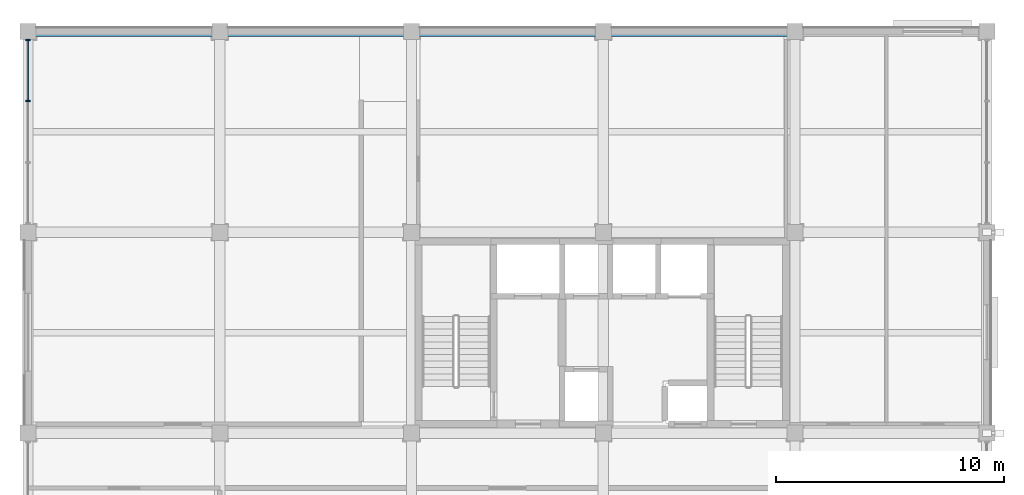
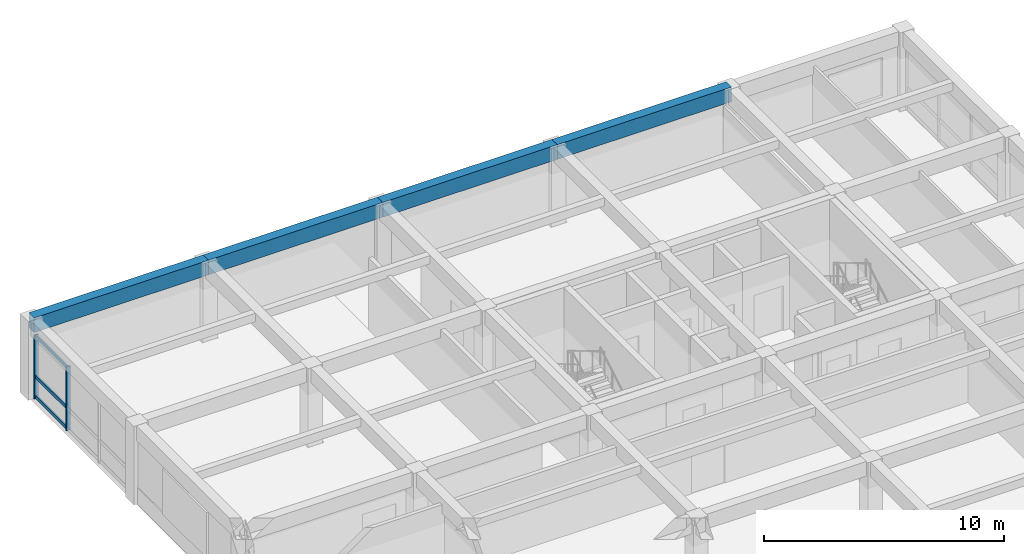
# One storey, part 5 of 14: 5 members, 4 beams, 1 element without a shape of its own.
"""IFC4 building model written with IfcOpenShell, lengths in metres."""

from ifc_helpers import new_model, si_unit, direction, frame, origin, origin_2d, place, context, subcontext, project, spatial, rectangle, extrude, material, material_profile, profile_set, type_object, element, aggregate, save


model = new_model("IFC4")

# Units and contexts
model_context = context("Model", 3, precision=1e-05, world=origin(), true_north=direction((0.0, 1.0)))
body_context = subcontext(model_context, "Body", "Model", "MODEL_VIEW")
ifc_project = project(units=[si_unit("LENGTHUNIT", "METRE"), si_unit("AREAUNIT", "SQUARE_METRE"), si_unit("VOLUMEUNIT", "CUBIC_METRE"), si_unit("PLANEANGLEUNIT", "RADIAN"), si_unit("MASSUNIT", "GRAM", prefix="KILO")], contexts=[model_context])

# Site, building, storey
site_placement = place(None, origin())
site = spatial("IfcSite", under=ifc_project, at=site_placement, CompositionType="ELEMENT")
building_placement = place(site_placement, origin())
building = spatial("IfcBuilding", under=site, at=building_placement, Name="Kemercrest Conservatory and Botanical Centre", CompositionType="ELEMENT")
storey_placement = place(building_placement, frame((0.0, 0.0, 32.800048828125)))
storey = spatial("IfcBuildingStorey", under=building, at=storey_placement, Name="L08", CompositionType="ELEMENT", Elevation=32.800048828125)

# Curtain wall, members
ifc_material_1 = material(Name="Thermally broken aluminium and triple low-e glazing", Category="aluminium")
curtain_wall_type = type_object("IfcCurtainWallType", Name="CW-09", PredefinedType="USERDEFINED", material=ifc_material_1)
curtain_wall_placement = place(storey_placement, origin())
curtain_wall = element("IfcCurtainWall", 1, at=curtain_wall_placement, inside=storey, type_object=curtain_wall_type, Name="Unitised curtain wall CW-09 (CW:L08:V4-098)", ObjectType="UNITISED CURTAIN WALL", PredefinedType="USERDEFINED")
ifc_material_2 = material(Name="Thermally broken anodized aluminium 6063-T6", Category="aluminium")
ifc_material_profile_1 = material_profile(ifc_material_2, rectangle(XDim=0.199951171875, YDim=0.06494140625, at=origin_2d()), Name="AL MULLION 65x200")
ifc_profile_set_1 = profile_set([ifc_material_profile_1], Name="Thermally broken anodized aluminium 6063-T6")
member_type_1 = type_object("IfcMemberType", Name="CW-M200", PredefinedType="MULLION", material=ifc_profile_set_1)
member_1_placement = place(storey_placement, frame((134.0, 122.0224609375, 0.0), z_axis=(0.0, 0.0, 1.0), x_axis=(1.0, 0.0, 0.0)))
member_1 = element("IfcMember", 2, at=member_1_placement, type_object=member_type_1, Name="CW-09 mullion 1", PredefinedType="MULLION", context=body_context, shape_type="SweptSolid", body=[
    extrude(rectangle(XDim=0.199951171875, YDim=0.06494140625, at=origin_2d()), origin(), (0.0, 0.0, 1.0), 3.2548828125),
])
member_2_placement = place(storey_placement, frame((134.0, 119.3515625, 0.0), z_axis=(0.0, 0.0, 1.0), x_axis=(1.0, 0.0, 0.0)))
member_2 = element("IfcMember", 3, at=member_2_placement, type_object=member_type_1, Name="CW-09 mullion 2", PredefinedType="MULLION", context=body_context, shape_type="SweptSolid", body=[
    extrude(rectangle(XDim=0.199951171875, YDim=0.06494140625, at=origin_2d()), origin(), (0.0, 0.0, 1.0), 3.2548828125),
])
ifc_material_profile_2 = material_profile(ifc_material_2, rectangle(XDim=0.074951171875, YDim=0.179931640625, at=origin_2d()), Name="AL TRANSOM 75x180")
ifc_profile_set_2 = profile_set([ifc_material_profile_2], Name="Thermally broken anodized aluminium 6063-T6")
member_type_2 = type_object("IfcMemberType", Name="CW-T180", PredefinedType="USERDEFINED", material=ifc_profile_set_2)
member_3_placement = place(storey_placement, frame((134.0, 121.989990234375, 0.08984375), z_axis=(0.0, -1.0, 0.0), x_axis=(1.0, 0.0, 0.0)))
member_3 = element("IfcMember", 4, at=member_3_placement, type_object=member_type_2, Name="CW-09 transom 1.1", ObjectType="TRANSOM", PredefinedType="USERDEFINED", context=body_context, shape_type="SweptSolid", body=[
    extrude(rectangle(XDim=0.074951171875, YDim=0.179931640625, at=origin_2d()), origin(), (0.0, 0.0, 1.0), 2.605712890625),
])
member_4_placement = place(storey_placement, frame((134.0, 121.989990234375, 1.119873046875), z_axis=(0.0, -1.0, 0.0), x_axis=(1.0, 0.0, 0.0)))
member_4 = element("IfcMember", 5, at=member_4_placement, type_object=member_type_2, Name="CW-09 transom 1.2", ObjectType="TRANSOM", PredefinedType="USERDEFINED", context=body_context, shape_type="SweptSolid", body=[
    extrude(rectangle(XDim=0.074951171875, YDim=0.179931640625, at=origin_2d()), origin(), (0.0, 0.0, 1.0), 2.605712890625),
])
member_5_placement = place(storey_placement, frame((134.0, 121.989990234375, 3.1650390625), z_axis=(0.0, -1.0, 0.0), x_axis=(1.0, 0.0, 0.0)))
member_5 = element("IfcMember", 6, at=member_5_placement, type_object=member_type_2, Name="CW-09 transom 1.3", ObjectType="TRANSOM", PredefinedType="USERDEFINED", context=body_context, shape_type="SweptSolid", body=[
    extrude(rectangle(XDim=0.074951171875, YDim=0.179931640625, at=origin_2d()), origin(), (0.0, 0.0, 1.0), 2.605712890625),
])
aggregate(curtain_wall, [member_1, member_2, member_3, member_4, member_5])

# Beams
ifc_material_3 = material(Name="Concrete C40/50", Category="concrete")
ifc_material_profile_3 = material_profile(ifc_material_3, rectangle(XDim=0.449951171875, YDim=0.75, at=origin_2d()), Name="RC 450x750")
ifc_profile_set_3 = profile_set([ifc_material_profile_3], Name="Concrete C40/50")
beam_type = type_object("IfcBeamType", Name="SP-RC75", PredefinedType="SPANDREL", material=ifc_profile_set_3)
beam_1_placement = place(storey_placement, frame((134.0, 122.39990234375, 3.625), z_axis=(1.0, 0.0, 0.0), x_axis=(0.0, 1.0, 0.0)))
element("IfcBeam", 7, at=beam_1_placement, inside=storey, type_object=beam_type, Name="V4-L09 beam SP-RC75 P/16-17", PredefinedType="SPANDREL", context=body_context, shape_type="SweptSolid", body=[
    extrude(rectangle(XDim=0.449951171875, YDim=0.75, at=origin_2d()), origin(), (0.0, 0.0, 1.0), 8.39990234375),
])
beam_2_placement = place(storey_placement, frame((142.39990234375, 122.39990234375, 3.625), z_axis=(1.0, 0.0, 0.0), x_axis=(0.0, 1.0, 0.0)))
element("IfcBeam", 8, at=beam_2_placement, inside=storey, type_object=beam_type, Name="V4-L09 beam SP-RC75 P/17-18", PredefinedType="SPANDREL", context=body_context, shape_type="SweptSolid", body=[
    extrude(rectangle(XDim=0.449951171875, YDim=0.75, at=origin_2d()), origin(), (0.0, 0.0, 1.0), 8.400146484375),
])
beam_3_placement = place(storey_placement, frame((150.800048828125, 122.39990234375, 3.625), z_axis=(1.0, 0.0, 0.0), x_axis=(0.0, 1.0, 0.0)))
element("IfcBeam", 9, at=beam_3_placement, inside=storey, type_object=beam_type, Name="V4-L09 beam SP-RC75 P/18-19", PredefinedType="SPANDREL", context=body_context, shape_type="SweptSolid", body=[
    extrude(rectangle(XDim=0.449951171875, YDim=0.75, at=origin_2d()), origin(), (0.0, 0.0, 1.0), 8.39990234375),
])
beam_4_placement = place(storey_placement, frame((159.199951171875, 122.39990234375, 3.625), z_axis=(1.0, 0.0, 0.0), x_axis=(0.0, 1.0, 0.0)))
element("IfcBeam", 10, at=beam_4_placement, inside=storey, type_object=beam_type, Name="V4-L09 beam SP-RC75 P/19-20", PredefinedType="SPANDREL", context=body_context, shape_type="SweptSolid", body=[
    extrude(rectangle(XDim=0.449951171875, YDim=0.75, at=origin_2d()), origin(), (0.0, 0.0, 1.0), 8.400146484375),
])

save(model, "model.ifc")
